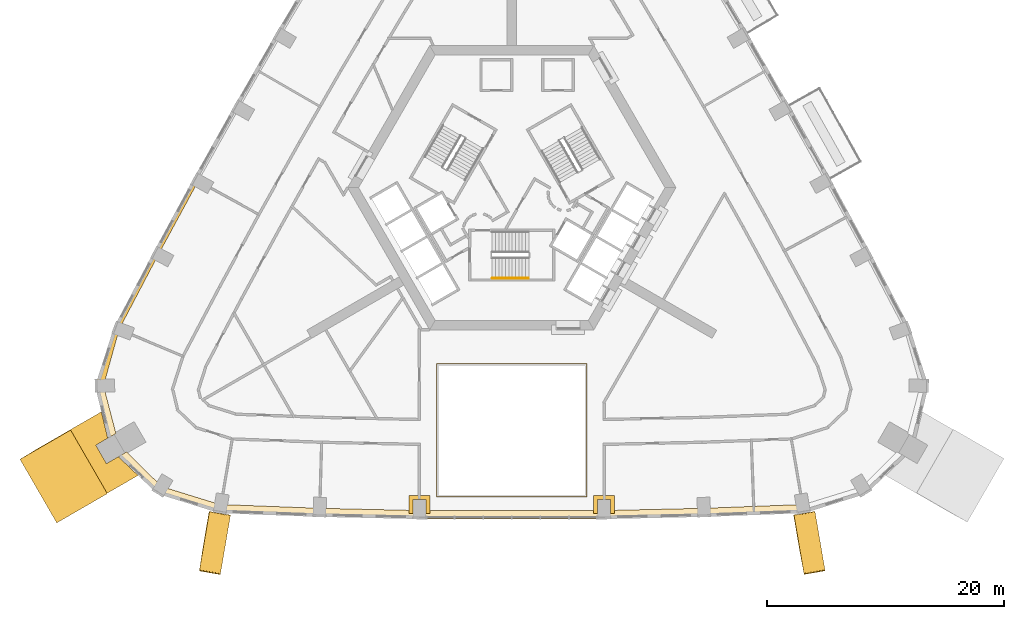
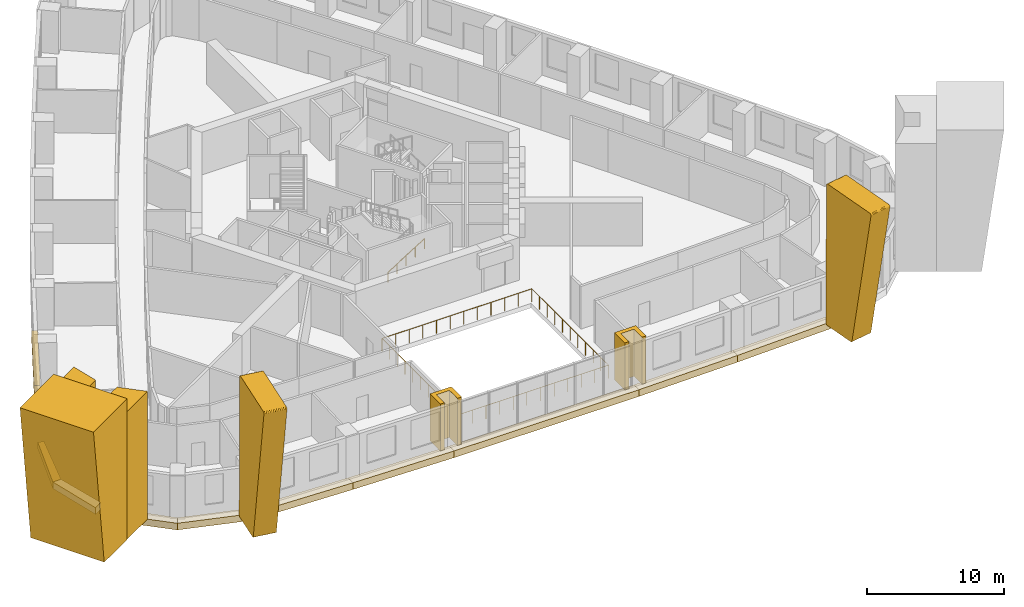
# One storey, part 12 of 14: 17 coverings, 2 railings.
"""IFC4 building model written with IfcOpenShell, lengths in metres."""

from ifc_helpers import new_model, si_unit, direction, frame, origin, origin_2d, place, context, subcontext, project, spatial, polyline, circle, outline, extrude, material, type_object, element, save


model = new_model("IFC4")

# Units and contexts
model_context = context("Model", 3, precision=1e-05, world=origin(), true_north=direction((0.0, 1.0)))
body_context = subcontext(model_context, "Body", "Model", "MODEL_VIEW")
ifc_project = project(units=[si_unit("LENGTHUNIT", "METRE"), si_unit("AREAUNIT", "SQUARE_METRE"), si_unit("VOLUMEUNIT", "CUBIC_METRE"), si_unit("PLANEANGLEUNIT", "RADIAN"), si_unit("MASSUNIT", "GRAM", prefix="KILO")], contexts=[model_context])

# Site, building, storey
site_placement = place(None, origin())
site = spatial("IfcSite", under=ifc_project, at=site_placement, CompositionType="ELEMENT")
building_placement = place(site_placement, origin())
building = spatial("IfcBuilding", under=site, at=building_placement, Name="Entoto Arch Interchange Tower", CompositionType="ELEMENT")
storey_placement = place(building_placement, frame((0.0, 0.0, 163.39990234375)))
storey = spatial("IfcBuildingStorey", under=building, at=storey_placement, Name="L36", CompositionType="ELEMENT", Elevation=163.39990234375)

# Railing
ifc_material_1 = material(Name="Stainless steel 1.4301", Category="steel")
railing_type_1 = type_object("IfcRailingType", Name="ATRIUM GUARD 1200 STEEL AND GLASS", PredefinedType="GUARDRAIL", material=ifc_material_1)
railing_1_placement = place(storey_placement, frame((6.320068359375, -23.593017578125, 0.0)))
element("IfcRailing", 1, at=railing_1_placement, inside=storey, type_object=railing_type_1, Name="Atrium guard L36", PredefinedType="GUARDRAIL", context=body_context, shape_type="SweptSolid", body=[
    extrude(circle(Radius=0.02392578125, at=origin_2d()), frame((0.0, 0.0, 1.17578125), z_axis=(-1.0, 0.0, 0.0), x_axis=(0.0, -1.0, 0.0)), (0.0, 0.0, 1.0), 12.64013671875),
    extrude(circle(Radius=0.02392578125, at=origin_2d()), frame((-12.64013671875, 0.0, 1.17578125), z_axis=(0.0, 1.0, 0.0), x_axis=(-1.0, 0.0, 0.0)), (0.0, 0.0, 1.0), 11.213134765625),
    extrude(circle(Radius=0.02392578125, at=origin_2d()), frame((-12.64013671875, 11.213134765625, 1.17578125), z_axis=(1.0, 0.0, 0.0), x_axis=(0.0, 1.0, 0.0)), (0.0, 0.0, 1.0), 12.64013671875),
    extrude(circle(Radius=0.02392578125, at=origin_2d()), frame((0.0, 11.213134765625, 1.17578125), z_axis=(0.0, -1.0, 0.0), x_axis=(1.0, 0.0, 0.0)), (0.0, 0.0, 1.0), 11.213134765625),
    extrude(circle(Radius=0.02099609375, at=origin_2d()), origin(), (0.0, 0.0, 1.0), 1.15185546875),
    extrude(circle(Radius=0.02099609375, at=origin_2d()), frame((-1.149169921875, 0.0, 0.0)), (0.0, 0.0, 1.0), 1.15185546875),
    extrude(circle(Radius=0.02099609375, at=origin_2d()), frame((-2.298095703125, 0.0, 0.0)), (0.0, 0.0, 1.0), 1.15185546875),
    extrude(circle(Radius=0.02099609375, at=origin_2d()), frame((-3.447265625, 0.0, 0.0)), (0.0, 0.0, 1.0), 1.15185546875),
    extrude(circle(Radius=0.02099609375, at=origin_2d()), frame((-4.596435546875, 0.0, 0.0)), (0.0, 0.0, 1.0), 1.15185546875),
    extrude(circle(Radius=0.02099609375, at=origin_2d()), frame((-5.74560546875, 0.0, 0.0)), (0.0, 0.0, 1.0), 1.15185546875),
    extrude(circle(Radius=0.02099609375, at=origin_2d()), frame((-6.89453125, 0.0, 0.0)), (0.0, 0.0, 1.0), 1.15185546875),
    extrude(circle(Radius=0.02099609375, at=origin_2d()), frame((-8.043701171875, 0.0, 0.0)), (0.0, 0.0, 1.0), 1.15185546875),
    extrude(circle(Radius=0.02099609375, at=origin_2d()), frame((-9.19287109375, 0.0, 0.0)), (0.0, 0.0, 1.0), 1.15185546875),
    extrude(circle(Radius=0.02099609375, at=origin_2d()), frame((-10.342041015625, 0.0, 0.0)), (0.0, 0.0, 1.0), 1.15185546875),
    extrude(circle(Radius=0.02099609375, at=origin_2d()), frame((-11.490966796875, 0.0, 0.0)), (0.0, 0.0, 1.0), 1.15185546875),
    extrude(circle(Radius=0.02099609375, at=origin_2d()), frame((-12.64013671875, 0.0, 0.0)), (0.0, 0.0, 1.0), 1.15185546875),
    extrude(circle(Radius=0.02099609375, at=origin_2d()), frame((-12.64013671875, 1.121337890625, 0.0)), (0.0, 0.0, 1.0), 1.15185546875),
    extrude(circle(Radius=0.02099609375, at=origin_2d()), frame((-12.64013671875, 2.24267578125, 0.0)), (0.0, 0.0, 1.0), 1.15185546875),
    extrude(circle(Radius=0.02099609375, at=origin_2d()), frame((-12.64013671875, 3.364013671875, 0.0)), (0.0, 0.0, 1.0), 1.15185546875),
    extrude(circle(Radius=0.02099609375, at=origin_2d()), frame((-12.64013671875, 4.4853515625, 0.0)), (0.0, 0.0, 1.0), 1.15185546875),
    extrude(circle(Radius=0.02099609375, at=origin_2d()), frame((-12.64013671875, 5.6064453125, 0.0)), (0.0, 0.0, 1.0), 1.15185546875),
    extrude(circle(Radius=0.02099609375, at=origin_2d()), frame((-12.64013671875, 6.727783203125, 0.0)), (0.0, 0.0, 1.0), 1.15185546875),
    extrude(circle(Radius=0.02099609375, at=origin_2d()), frame((-12.64013671875, 7.84912109375, 0.0)), (0.0, 0.0, 1.0), 1.15185546875),
    extrude(circle(Radius=0.02099609375, at=origin_2d()), frame((-12.64013671875, 8.970458984375, 0.0)), (0.0, 0.0, 1.0), 1.15185546875),
    extrude(circle(Radius=0.02099609375, at=origin_2d()), frame((-12.64013671875, 10.091796875, 0.0)), (0.0, 0.0, 1.0), 1.15185546875),
    extrude(circle(Radius=0.02099609375, at=origin_2d()), frame((-12.64013671875, 11.213134765625, 0.0)), (0.0, 0.0, 1.0), 1.15185546875),
    extrude(circle(Radius=0.02099609375, at=origin_2d()), frame((-11.490966796875, 11.213134765625, 0.0)), (0.0, 0.0, 1.0), 1.15185546875),
    extrude(circle(Radius=0.02099609375, at=origin_2d()), frame((-10.342041015625, 11.213134765625, 0.0)), (0.0, 0.0, 1.0), 1.15185546875),
    extrude(circle(Radius=0.02099609375, at=origin_2d()), frame((-9.19287109375, 11.213134765625, 0.0)), (0.0, 0.0, 1.0), 1.15185546875),
    extrude(circle(Radius=0.02099609375, at=origin_2d()), frame((-8.043701171875, 11.213134765625, 0.0)), (0.0, 0.0, 1.0), 1.15185546875),
    extrude(circle(Radius=0.02099609375, at=origin_2d()), frame((-6.89453125, 11.213134765625, 0.0)), (0.0, 0.0, 1.0), 1.15185546875),
    extrude(circle(Radius=0.02099609375, at=origin_2d()), frame((-5.74560546875, 11.213134765625, 0.0)), (0.0, 0.0, 1.0), 1.15185546875),
    extrude(circle(Radius=0.02099609375, at=origin_2d()), frame((-4.596435546875, 11.213134765625, 0.0)), (0.0, 0.0, 1.0), 1.15185546875),
    extrude(circle(Radius=0.02099609375, at=origin_2d()), frame((-3.447265625, 11.213134765625, 0.0)), (0.0, 0.0, 1.0), 1.15185546875),
    extrude(circle(Radius=0.02099609375, at=origin_2d()), frame((-2.298095703125, 11.213134765625, 0.0)), (0.0, 0.0, 1.0), 1.15185546875),
    extrude(circle(Radius=0.02099609375, at=origin_2d()), frame((-1.149169921875, 11.213134765625, 0.0)), (0.0, 0.0, 1.0), 1.15185546875),
    extrude(circle(Radius=0.02099609375, at=origin_2d()), frame((0.0, 11.213134765625, 0.0)), (0.0, 0.0, 1.0), 1.15185546875),
    extrude(circle(Radius=0.02099609375, at=origin_2d()), frame((0.0, 10.091796875, 0.0)), (0.0, 0.0, 1.0), 1.15185546875),
    extrude(circle(Radius=0.02099609375, at=origin_2d()), frame((0.0, 8.970458984375, 0.0)), (0.0, 0.0, 1.0), 1.15185546875),
    extrude(circle(Radius=0.02099609375, at=origin_2d()), frame((0.0, 7.84912109375, 0.0)), (0.0, 0.0, 1.0), 1.15185546875),
    extrude(circle(Radius=0.02099609375, at=origin_2d()), frame((0.0, 6.727783203125, 0.0)), (0.0, 0.0, 1.0), 1.15185546875),
    extrude(circle(Radius=0.02099609375, at=origin_2d()), frame((0.0, 5.6064453125, 0.0)), (0.0, 0.0, 1.0), 1.15185546875),
    extrude(circle(Radius=0.02099609375, at=origin_2d()), frame((0.0, 4.4853515625, 0.0)), (0.0, 0.0, 1.0), 1.15185546875),
    extrude(circle(Radius=0.02099609375, at=origin_2d()), frame((0.0, 3.364013671875, 0.0)), (0.0, 0.0, 1.0), 1.15185546875),
    extrude(circle(Radius=0.02099609375, at=origin_2d()), frame((0.0, 2.24267578125, 0.0)), (0.0, 0.0, 1.0), 1.15185546875),
    extrude(circle(Radius=0.02099609375, at=origin_2d()), frame((0.0, 1.121337890625, 0.0)), (0.0, 0.0, 1.0), 1.15185546875),
])

# Coverings
ifc_material_2 = material(Name="Board-marked precast concrete C50/60", Category="concrete")
covering_type_1 = type_object("IfcCoveringType", Name="PRECAST FRAME COURSE", PredefinedType="CLADDING", material=ifc_material_2)
covering_1_placement = place(storey_placement, frame((0.0, 0.0, -0.39990234375)))
element("IfcCovering", 2, at=covering_1_placement, inside=storey, type_object=covering_type_1, Name="Corner pilaster SW L36-L38", PredefinedType="CLADDING", context=body_context, shape_type="SweptSolid", body=[
    extrude(outline(polyline([(-34.157958984375, -23.300048828125), (-37.258056640625, -17.929931640625), (-34.64599609375, -16.422119140625), (-34.10888671875, -18.653076171875), (-35.117919921875, -19.236083984375), (-34.218017578125, -20.7939453125), (-33.208984375, -20.2119140625), (-31.5458984375, -21.7919921875), (-34.157958984375, -23.300048828125)])), origin(), (0.0, 0.0, 1.0), 11.39990234375),
])
covering_2_placement = place(storey_placement, frame((-37.258056640625, -17.929931640625, -0.39990234375), z_axis=(-0.500154832299, 0.865930858576, 0.002981927881), x_axis=(-0.865934707821, -0.500157057124, 4.4484e-07)))
element("IfcCovering", 3, at=covering_2_placement, inside=storey, type_object=covering_type_1, Name="Corner rib SW L36-L38", PredefinedType="CLADDING", context=body_context, shape_type="SweptSolid", body=[
    extrude(outline(polyline([(0.0, 0.0), (3.29840472685302, 1.734723475976807e-18), (4.935337387522243, 12.60015148054356), (3.0608202441133056e-07, 12.600155143260395), (0.0, 0.0)])), origin(), (0.0, 0.0, -1.0), 6.199951171875),
])
covering_3_placement = place(storey_placement, frame((-25.5810546875, -24.972900390625, -0.39990234375), z_axis=(-0.985734723968, 0.16827914448, 0.003030428503), x_axis=(0.167692313672, 0.980442042513, 0.103017907221)))
element("IfcCovering", 4, at=covering_3_placement, inside=storey, type_object=covering_type_1, Name="Fold rib S01 L36-L38", PredefinedType="CLADDING", context=body_context, shape_type="SweptSolid", body=[
    extrude(outline(polyline([(0.0, 0.0), (0.028449254472717258, -4.336808689942018e-19), (0.05746134012849237, -0.005092270290698542), (0.08512745726841209, -0.016219424074466512), (0.10952655386282313, -0.03283750638294022), (0.12985571893761058, -0.05380355591041095), (0.14675759712311492, -0.0783143025935514), (0.15767811360600806, -0.10541208630832265), (0.16375766917358653, -0.1337433611749295), (1.431080831289269, -12.368386366467957), (1.4310376323621474, -12.397597413308684), (1.4258671496162614, -12.426360336888946), (1.4066101053302147, -12.466398850718372), (1.3774869989903529, -12.499605899092296), (1.339962973810838, -12.522635746719265), (1.2973170420274966, -12.533190196544439), (-3.4826093518040118, -13.028246170185776), (-3.511282182359752, -13.028024738793418), (-3.540234453957575, -13.023167927830412), (-3.5798893454486036, -13.004940858783803), (-3.602250543520729, -12.987373516558083), (-3.6207905370125095, -12.964993935172858), (-3.640184080361725, -12.92576957961105), (-3.6471706460097355, -12.897284240550503), (-3.6472660582514282, -12.86833006219326), (-2.794425177651137, -0.4141034930484325), (-2.7893302986132165, -0.3853514576724637), (-2.7713202335656573, -0.3442124335961207), (-2.7421339686257467, -0.31001999509425987), (-2.703832032189172, -0.28715085837610854), (-2.659885172634337, -0.27548293074103886), (0.0, 0.0)])), origin(), (0.0, 0.0, -1.0), 1.800048828125),
])
covering_4_placement = place(storey_placement, frame((23.806884765625, -25.27587890625, -0.39990234375), z_axis=(-0.985755590487, -0.168157350214, 0.003003563195), x_axis=(-0.167023739846, 0.980892251674, 0.0997670333)))
element("IfcCovering", 5, at=covering_4_placement, inside=storey, type_object=covering_type_1, Name="Fold rib S06 L36-L38", PredefinedType="CLADDING", context=body_context, shape_type="SweptSolid", body=[
    extrude(outline(polyline([(0.0, 0.0), (0.02936595822609106, -4.336808689942018e-19), (0.0575670878236612, -0.005268564894261579), (0.08503307980435816, -0.016501128905770213), (0.1091381850498659, -0.033222062726579474), (0.130636965659917, -0.05413083828892713), (0.14650108774787052, -0.07879497452015906), (0.1580863965489295, -0.10585172248229865), (0.16423683701780947, -0.13418665318210432), (1.3909254869845986, -12.372971199912453), (1.3909502843338648, -12.402165506425042), (1.385522446102778, -12.430928290922802), (1.366134662574109, -12.470903607739324), (1.3369029637434944, -12.504013360448347), (1.2993449568132787, -12.526918098301444), (1.2566236313939212, -12.537335018102535), (-3.52505826144869, -13.01678643621749), (-3.553327565150176, -13.016428703259624), (-3.5825030174316432, -13.011503425963008), (-3.622098474472918, -12.993144074963942), (-3.6444016233772043, -12.975508089850482), (-3.6627051200994387, -12.953050090584888), (-3.6818944691777227, -12.913754220206231), (-3.6888640603010487, -12.885252658588527), (-3.6898224030539764, -12.856396824553507), (-2.7960436144781964, -0.4049991800530611), (-2.790778885368053, -0.37625565603559746), (-2.7724707903582306, -0.3351612829511337), (-2.743173411150129, -0.3010605839314738), (-2.7045923671642877, -0.27829840139590517), (-2.6610513451790974, -0.26681905986456145), (0.0, 0.0)])), origin(), (0.0, 0.0, -1.0), 1.800048828125),
])
covering_5_placement = place(storey_placement, frame((0.0, 0.0, -0.39990234375)))
element("IfcCovering", 6, at=covering_5_placement, inside=storey, type_object=covering_type_1, Name="Gate pier L36", PredefinedType="CLADDING", context=body_context, shape_type="SweptSolid", body=[
    extrude(outline(polyline([(-8.68896484375, -23.472900390625), (-6.888916015625, -23.472900390625), (-6.888916015625, -24.9990234375), (-7.239013671875, -24.9990234375), (-7.239013671875, -23.822998046875), (-8.339111328125, -23.822998046875), (-8.339111328125, -24.9990234375), (-8.68896484375, -24.9990234375), (-8.68896484375, -23.472900390625)])), origin(), (0.0, 0.0, 1.0), 4.199951171875),
])
covering_6_placement = place(storey_placement, frame((0.0, 0.0, -0.39990234375)))
element("IfcCovering", 7, at=covering_6_placement, inside=storey, type_object=covering_type_1, Name="Gate pier L36", PredefinedType="CLADDING", context=body_context, shape_type="SweptSolid", body=[
    extrude(outline(polyline([(6.888916015625, -23.472900390625), (8.68896484375, -23.472900390625), (8.68896484375, -24.9990234375), (8.339111328125, -24.9990234375), (8.339111328125, -23.822998046875), (7.239013671875, -23.822998046875), (7.239013671875, -24.9990234375), (6.888916015625, -24.9990234375), (6.888916015625, -23.472900390625)])), origin(), (0.0, 0.0, 1.0), 4.199951171875),
])
covering_type_2 = type_object("IfcCoveringType", Name="PRECAST LEDGE COURSE", PredefinedType="CLADDING", material=ifc_material_2)
covering_7_placement = place(storey_placement, frame((0.0, 0.0, -1.0)))
element("IfcCovering", 8, at=covering_7_placement, inside=storey, type_object=covering_type_2, Name="Precast course S-01 L36", PredefinedType="CLADDING", context=body_context, shape_type="SweptSolid", body=[
    extrude(outline(polyline([(-16.23388671875, -24.56591796875), (-16.23388671875, -25.2900390625), (-24.6689453125, -24.97705078125), (-24.6689453125, -24.241943359375), (-16.23388671875, -24.56591796875)])), origin(), (0.0, 0.0, 1.0), 0.60009765625),
])
covering_8_placement = place(storey_placement, frame((0.0, 0.0, -1.0)))
element("IfcCovering", 9, at=covering_8_placement, inside=storey, type_object=covering_type_2, Name="Precast course S-02 L36", PredefinedType="CLADDING", context=body_context, shape_type="SweptSolid", body=[
    extrude(outline(polyline([(-7.800048828125, -24.757080078125), (-7.800048828125, -25.472900390625), (-16.23388671875, -25.2900390625), (-16.23388671875, -24.56591796875), (-7.800048828125, -24.757080078125)])), origin(), (0.0, 0.0, 1.0), 0.60009765625),
])
covering_9_placement = place(storey_placement, frame((0.0, 0.0, -1.0)))
element("IfcCovering", 10, at=covering_9_placement, inside=storey, type_object=covering_type_2, Name="Precast course S-03 L36", PredefinedType="CLADDING", context=body_context, shape_type="SweptSolid", body=[
    extrude(outline(polyline([(7.800048828125, -24.757080078125), (7.800048828125, -25.472900390625), (-7.800048828125, -25.472900390625), (-7.800048828125, -24.757080078125), (7.800048828125, -24.757080078125)])), origin(), (0.0, 0.0, 1.0), 0.60009765625),
])
covering_10_placement = place(storey_placement, frame((0.0, 0.0, -1.0)))
element("IfcCovering", 11, at=covering_10_placement, inside=storey, type_object=covering_type_2, Name="Precast course S-04 L36", PredefinedType="CLADDING", context=body_context, shape_type="SweptSolid", body=[
    extrude(outline(polyline([(16.23388671875, -24.56591796875), (16.23388671875, -25.2900390625), (7.800048828125, -25.472900390625), (7.800048828125, -24.757080078125), (16.23388671875, -24.56591796875)])), origin(), (0.0, 0.0, 1.0), 0.60009765625),
])
covering_11_placement = place(storey_placement, frame((0.0, 0.0, -1.0)))
element("IfcCovering", 12, at=covering_11_placement, inside=storey, type_object=covering_type_2, Name="Precast course S-05 L36", PredefinedType="CLADDING", context=body_context, shape_type="SweptSolid", body=[
    extrude(outline(polyline([(24.6689453125, -24.241943359375), (24.6689453125, -24.97705078125), (16.23388671875, -25.2900390625), (16.23388671875, -24.56591796875), (24.6689453125, -24.241943359375)])), origin(), (0.0, 0.0, 1.0), 0.60009765625),
])
covering_12_placement = place(storey_placement, frame((0.0, 0.0, -1.0)))
element("IfcCovering", 13, at=covering_12_placement, inside=storey, type_object=covering_type_2, Name="Precast course NW-06 L36", PredefinedType="CLADDING", context=body_context, shape_type="SweptSolid", body=[
    extrude(outline(polyline([(-29.827880859375, -3.14794921875), (-30.23388671875, -2.931884765625), (-26.860107421875, 3.27490234375), (-26.4619140625, 3.055908203125), (-29.827880859375, -3.14794921875)])), origin(), (0.0, 0.0, 1.0), 0.60009765625),
])
covering_13_placement = place(storey_placement, frame((0.0, 0.0, -1.0)))
element("IfcCovering", 14, at=covering_13_placement, inside=storey, type_object=covering_type_2, Name="Precast course NW-07 L36", PredefinedType="CLADDING", context=body_context, shape_type="SweptSolid", body=[
    extrude(outline(polyline([(-33.135986328125, -9.446044921875), (-33.58203125, -9.281005859375), (-30.23388671875, -2.931884765625), (-29.827880859375, -3.14794921875), (-33.135986328125, -9.446044921875)])), origin(), (0.0, 0.0, 1.0), 0.60009765625),
])
covering_14_placement = place(storey_placement, frame((0.0, 0.0, -1.0)))
element("IfcCovering", 15, at=covering_14_placement, inside=storey, type_object=covering_type_2, Name="Precast course SW-01 L36", PredefinedType="CLADDING", context=body_context, shape_type="SweptSolid", body=[
    extrude(outline(polyline([(-34.465087890625, -14.22412109375), (-35.1708984375, -14.240966796875), (-33.58203125, -9.281005859375), (-33.135986328125, -9.446044921875), (-34.465087890625, -14.22412109375)])), origin(), (0.0, 0.0, 1.0), 0.60009765625),
])
covering_15_placement = place(storey_placement, frame((0.0, 0.0, -1.0)))
element("IfcCovering", 16, at=covering_15_placement, inside=storey, type_object=covering_type_2, Name="Precast course SW-02 L36", PredefinedType="CLADDING", context=body_context, shape_type="SweptSolid", body=[
    extrude(outline(polyline([(-33.4150390625, -18.2529296875), (-34.10888671875, -18.653076171875), (-35.1708984375, -14.240966796875), (-34.465087890625, -14.22412109375), (-33.4150390625, -18.2529296875)])), origin(), (0.0, 0.0, 1.0), 0.60009765625),
])
covering_16_placement = place(storey_placement, frame((0.0, 0.0, -1.0)))
element("IfcCovering", 17, at=covering_16_placement, inside=storey, type_object=covering_type_2, Name="Precast course SW-03 L36", PredefinedType="CLADDING", context=body_context, shape_type="SweptSolid", body=[
    extrude(outline(polyline([(-29.551025390625, -22.735107421875), (-29.9189453125, -23.339111328125), (-33.208984375, -20.2119140625), (-32.514892578125, -19.81103515625), (-29.551025390625, -22.735107421875)])), origin(), (0.0, 0.0, 1.0), 0.60009765625),
])
covering_17_placement = place(storey_placement, frame((0.0, 0.0, -1.0)))
element("IfcCovering", 18, at=covering_17_placement, inside=storey, type_object=covering_type_2, Name="Precast course SW-04 L36", PredefinedType="CLADDING", context=body_context, shape_type="SweptSolid", body=[
    extrude(outline(polyline([(-24.6689453125, -24.241943359375), (-24.6689453125, -24.97705078125), (-29.9189453125, -23.339111328125), (-29.551025390625, -22.735107421875), (-24.6689453125, -24.241943359375)])), origin(), (0.0, 0.0, 1.0), 0.60009765625),
])

# Railing
railing_type_2 = type_object("IfcRailingType", Name="STAIR HANDRAIL 900 STEEL", PredefinedType="HANDRAIL", material=ifc_material_1)
railing_2_placement = place(storey_placement, frame((-1.64990234375, -5.14990234375, 0.175048828125)))
element("IfcRailing", 19, at=railing_2_placement, inside=storey, type_object=railing_type_2, Name="L36 ST-S stair handrail 1", PredefinedType="HANDRAIL", context=body_context, shape_type="SweptSolid", body=[
    extrude(circle(Radius=0.02392578125, at=origin_2d()), frame((0.0, 0.0, 0.8759765625), z_axis=(0.847979421464, 0.0, 0.530029150871), x_axis=(0.0, 1.0, 0.0)), (0.0, 0.0, 1.0), 3.632080078125),
    extrude(circle(Radius=0.02099609375, at=origin_2d()), origin(), (0.0, 0.0, 1.0), 0.851806640625),
    extrude(circle(Radius=0.02099609375, at=origin_2d()), frame((0.77001953125, 0.0, 0.481201171875)), (0.0, 0.0, 1.0), 0.851806640625),
    extrude(circle(Radius=0.02099609375, at=origin_2d()), frame((1.5400390625, 0.0, 0.96240234375)), (0.0, 0.0, 1.0), 0.851806640625),
    extrude(circle(Radius=0.02099609375, at=origin_2d()), frame((2.309814453125, 0.0, 1.44384765625)), (0.0, 0.0, 1.0), 0.851806640625),
    extrude(circle(Radius=0.02099609375, at=origin_2d()), frame((3.079833984375, 0.0, 1.925048828125)), (0.0, 0.0, 1.0), 0.851806640625),
])

save(model, "model.ifc")
